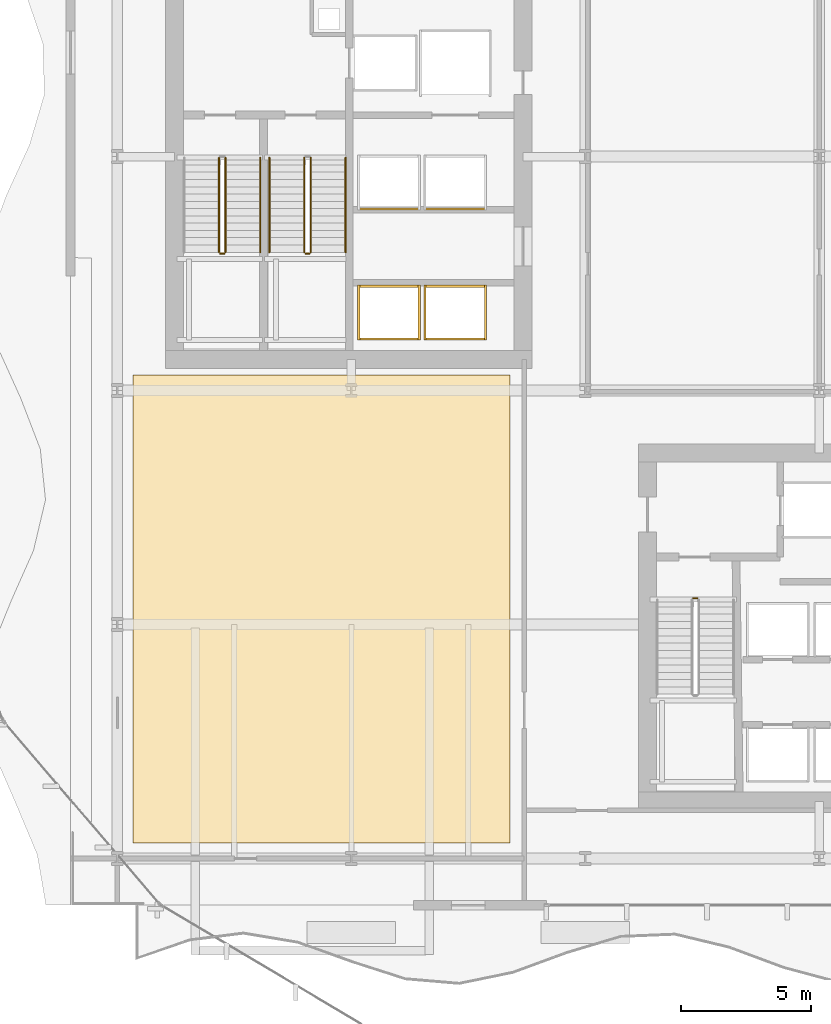
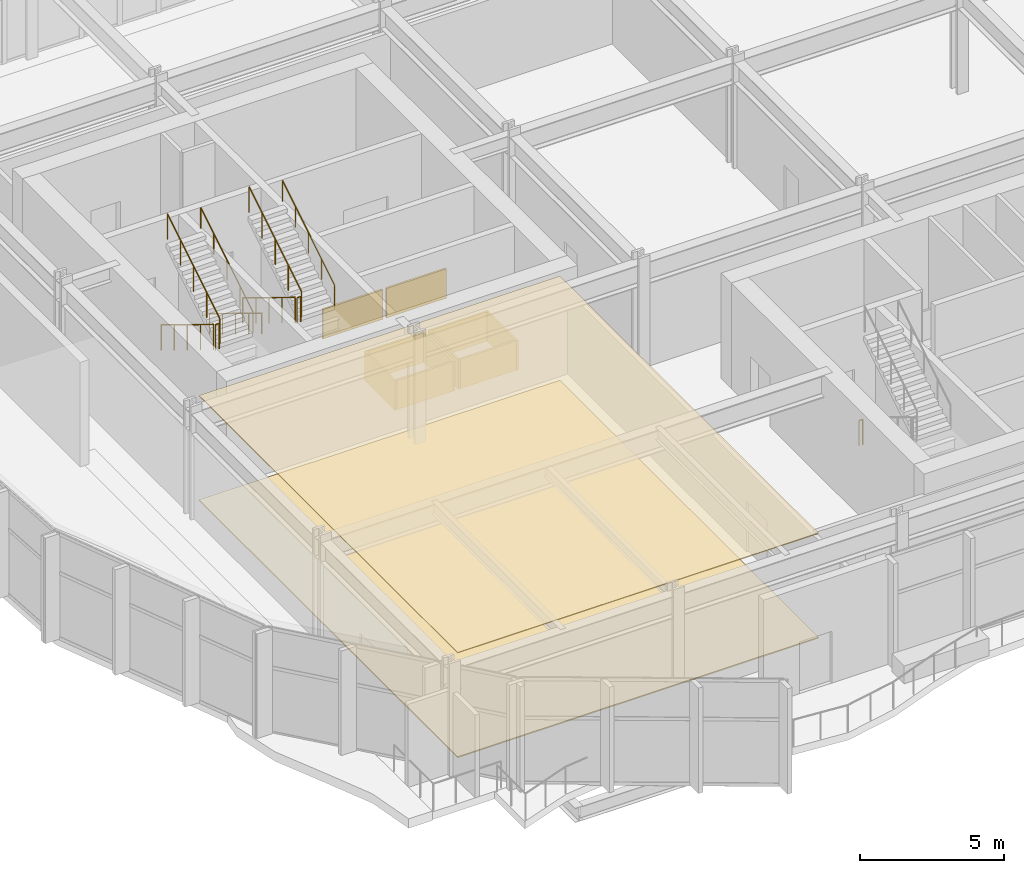
# One storey, part 25 of 29: 12 coverings, 10 railings.
"""IFC4 building model written with IfcOpenShell, lengths in metres."""

from ifc_helpers import new_model, si_unit, direction, frame, origin, origin_2d, place, context, subcontext, project, spatial, polyline, rectangle, circle, outline, extrude, material, layer, layer_set, type_object, element, save


model = new_model("IFC4")

# Units and contexts
model_context = context("Model", 3, precision=1e-05, world=origin(), true_north=direction((0.0, 1.0)))
body_context = subcontext(model_context, "Body", "Model", "MODEL_VIEW")
ifc_project = project(units=[si_unit("LENGTHUNIT", "METRE"), si_unit("AREAUNIT", "SQUARE_METRE"), si_unit("VOLUMEUNIT", "CUBIC_METRE"), si_unit("PLANEANGLEUNIT", "RADIAN"), si_unit("MASSUNIT", "GRAM", prefix="KILO")], contexts=[model_context])

# Site, building, storey
site_placement = place(None, origin())
site = spatial("IfcSite", under=ifc_project, at=site_placement, CompositionType="ELEMENT")
building_placement = place(site_placement, origin())
building = spatial("IfcBuilding", under=site, at=building_placement, Name="Solvaryn Broadcast Tower", CompositionType="ELEMENT")
storey_placement = place(building_placement, frame((0.0, 0.0, 21.199951171875)))
storey = spatial("IfcBuildingStorey", under=building, at=storey_placement, Name="L04", CompositionType="ELEMENT", Elevation=21.199951171875)

# Coverings
ifc_material_1 = material(Name="Studio Acoustic Mineral-Wool Baffle Ceiling", Category="concrete")
ifc_layer_1 = layer(ifc_material_1, 0.06005859375)
ifc_layer_set_1 = layer_set([ifc_layer_1], Name="CV-CEIL-BAFFLE")
covering_type_1 = type_object("IfcCoveringType", Name="CV-CEIL-BAFFLE", PredefinedType="CEILING", material=ifc_layer_set_1)
covering_1_placement = place(storey_placement, frame((0.0, 0.0, 4.43994140625)))
element("IfcCovering", 1, at=covering_1_placement, inside=storey, type_object=covering_type_1, Name="L04 Room Acoustic Ceiling 1", PredefinedType="CEILING", context=body_context, shape_type="SweptSolid", body=[
    extrude(outline(polyline([(9.60009765625, 9.60009765625), (24.10009765625, 9.60009765625), (24.10009765625, 27.60009765625), (9.60009765625, 27.60009765625), (9.60009765625, 9.60009765625)])), origin(), (0.0, 0.0, 1.0), 0.0400390625),
])
ifc_material_2 = material(Name="Isolated Broadcast Studio Floating Acoustic Floor", Category="concrete")
ifc_layer_2 = layer(ifc_material_2, 0.080078125)
ifc_layer_set_2 = layer_set([ifc_layer_2], Name="CV-FLOOR-STUDIO")
covering_type_2 = type_object("IfcCoveringType", Name="CV-FLOOR-STUDIO", PredefinedType="FLOORING", material=ifc_layer_set_2)
covering_2_placement = place(storey_placement, origin())
element("IfcCovering", 2, at=covering_2_placement, inside=storey, type_object=covering_type_2, Name="L04 Room Acoustic Floor Finish 1", PredefinedType="FLOORING", context=body_context, shape_type="SweptSolid", body=[
    extrude(outline(polyline([(9.60009765625, 9.60009765625), (24.10009765625, 9.60009765625), (24.10009765625, 27.60009765625), (9.60009765625, 27.60009765625), (9.60009765625, 9.60009765625)])), origin(), (0.0, 0.0, 1.0), 0.050048828125),
])
ifc_material_3 = material(Name="Fire-Rated Gypsum Shaftwall Liner", Category="concrete")
ifc_layer_3 = layer(ifc_material_3, 0.080078125)
ifc_layer_set_3 = layer_set([ifc_layer_3], Name="CV-SHAFT-LINER")
covering_type_3 = type_object("IfcCoveringType", Name="CV-SHAFT-LINER", PredefinedType="CLADDING", material=ifc_layer_set_3)
for number, where, z_axis, x_axis, name in (
    (3, (19.449951171875, 31.014892578125, 0.0), (0.0, 0.0, 1.0), (1.0, 0.0, 0.0), "L04 PH1 Hoistway Shaft Liner North"),
    (4, (19.449951171875, 28.985107421875, 0.0), (0.0, 0.0, 1.0), (1.0, 0.0, 0.0), "L04 PH1 Hoistway Shaft Liner South"),
):
    element("IfcCovering", number, at=place(storey_placement, frame(where, z_axis=z_axis, x_axis=x_axis)), inside=storey, type_object=covering_type_3, Name=name, PredefinedType="CLADDING", context=body_context, shape_type="SweptSolid", body=[
        extrude(rectangle(XDim=2.409912109375, YDim=0.080078125, at=origin_2d()), origin(), (0.0, 0.0, 1.0), 1.25),
    ])
for number, where, z_axis, x_axis, name in (
    (5, (20.614990234375, 30.0, 0.0), (0.0, 0.0, 1.0), (1.0, 0.0, 0.0), "L04 PH1 Hoistway Shaft Liner East"),
    (6, (18.284912109375, 30.0, 0.0), (0.0, 0.0, 1.0), (1.0, 0.0, 0.0), "L04 PH1 Hoistway Shaft Liner West"),
):
    element("IfcCovering", number, at=place(storey_placement, frame(where, z_axis=z_axis, x_axis=x_axis)), inside=storey, type_object=covering_type_3, Name=name, PredefinedType="CLADDING", context=body_context, shape_type="SweptSolid", body=[
        extrude(rectangle(XDim=0.080078125, YDim=2.110107421875, at=origin_2d()), origin(), (0.0, 0.0, 1.0), 1.25),
    ])
for number, where, z_axis, x_axis, name in (
    (7, (22.0, 31.014892578125, 0.0), (0.0, 0.0, 1.0), (1.0, 0.0, 0.0), "L04 PH2 Hoistway Shaft Liner North"),
    (8, (22.0, 28.985107421875, 0.0), (0.0, 0.0, 1.0), (1.0, 0.0, 0.0), "L04 PH2 Hoistway Shaft Liner South"),
):
    element("IfcCovering", number, at=place(storey_placement, frame(where, z_axis=z_axis, x_axis=x_axis)), inside=storey, type_object=covering_type_3, Name=name, PredefinedType="CLADDING", context=body_context, shape_type="SweptSolid", body=[
        extrude(rectangle(XDim=2.409912109375, YDim=0.080078125, at=origin_2d()), origin(), (0.0, 0.0, 1.0), 1.25),
    ])
for number, where, z_axis, x_axis, name in (
    (9, (23.1650390625, 30.0, 0.0), (0.0, 0.0, 1.0), (1.0, 0.0, 0.0), "L04 PH2 Hoistway Shaft Liner East"),
    (10, (20.8349609375, 30.0, 0.0), (0.0, 0.0, 1.0), (1.0, 0.0, 0.0), "L04 PH2 Hoistway Shaft Liner West"),
):
    element("IfcCovering", number, at=place(storey_placement, frame(where, z_axis=z_axis, x_axis=x_axis)), inside=storey, type_object=covering_type_3, Name=name, PredefinedType="CLADDING", context=body_context, shape_type="SweptSolid", body=[
        extrude(rectangle(XDim=0.080078125, YDim=2.110107421875, at=origin_2d()), origin(), (0.0, 0.0, 1.0), 1.25),
    ])
for number, where, z_axis, x_axis, name in (
    (11, (19.449951171875, 33.985107421875, 0.0), (0.0, 0.0, 1.0), (1.0, 0.0, 0.0), "L04 PH3 Hoistway Shaft Liner South"),
    (12, (22.0, 33.985107421875, 0.0), (0.0, 0.0, 1.0), (1.0, 0.0, 0.0), "L04 PH4 Hoistway Shaft Liner South"),
):
    element("IfcCovering", number, at=place(storey_placement, frame(where, z_axis=z_axis, x_axis=x_axis)), inside=storey, type_object=covering_type_3, Name=name, PredefinedType="CLADDING", context=body_context, shape_type="SweptSolid", body=[
        extrude(rectangle(XDim=2.409912109375, YDim=0.080078125, at=origin_2d()), origin(), (0.0, 0.0, 1.0), 1.25),
    ])

# Railings
ifc_material_4 = material(Name="Painted Steel Stair Well Guard", Category="steel")
railing_type_1 = type_object("IfcRailingType", Name="RL-STAIR-GUARD", PredefinedType="BALUSTRADE", material=ifc_material_4)
railing_1_placement = place(storey_placement, frame((12.909912109375, 35.9599609375, 0.17138671875)))
element("IfcRailing", 13, at=railing_1_placement, inside=storey, type_object=railing_type_1, Name="L04 ST1 stair guard 1", PredefinedType="BALUSTRADE", context=body_context, shape_type="SweptSolid", body=[
    extrude(circle(Radius=0.02392578125, at=origin_2d()), frame((0.0, 0.0, 1.076171875), z_axis=(0.0, -0.852824790078, 0.522197163366), x_axis=(1.0, 0.0, 0.0)), (0.0, 0.0, 1.0), 4.26806640625),
    extrude(circle(Radius=0.02099609375, at=origin_2d()), origin(), (0.0, 0.0, 1.0), 1.052001953125),
    extrude(circle(Radius=0.02099609375, at=origin_2d()), frame((0.0, -0.909912109375, 0.55712890625)), (0.0, 0.0, 1.0), 1.052001953125),
    extrude(circle(Radius=0.02099609375, at=origin_2d()), frame((0.0, -1.81982421875, 1.1142578125)), (0.0, 0.0, 1.0), 1.052001953125),
    extrude(circle(Radius=0.02099609375, at=origin_2d()), frame((0.0, -2.72998046875, 1.671630859375)), (0.0, 0.0, 1.0), 1.052001953125),
    extrude(circle(Radius=0.02099609375, at=origin_2d()), frame((0.0, -3.639892578125, 2.228759765625)), (0.0, 0.0, 1.0), 1.052001953125),
])
railing_2_placement = place(storey_placement, frame((12.9599609375, 32.27001953125, 2.400146484375)))
element("IfcRailing", 14, at=railing_2_placement, inside=storey, type_object=railing_type_1, Name="L04 ST1 stair guard 2", PredefinedType="BALUSTRADE", context=body_context, shape_type="SweptSolid", body=[
    extrude(circle(Radius=0.02392578125, at=origin_2d()), frame((0.0, 0.0, 1.076171875), z_axis=(1.0, 0.0, 0.0), x_axis=(0.0, 1.0, 0.0)), (0.0, 0.0, 1.0), 0.150146484375),
    extrude(circle(Radius=0.02099609375, at=origin_2d()), origin(), (0.0, 0.0, 1.0), 1.052001953125),
    extrude(circle(Radius=0.02099609375, at=origin_2d()), frame((0.150146484375, 0.0, 0.0)), (0.0, 0.0, 1.0), 1.052001953125),
])
railing_3_placement = place(storey_placement, frame((13.159912109375, 32.320068359375, 2.571533203125)))
element("IfcRailing", 15, at=railing_3_placement, inside=storey, type_object=railing_type_1, Name="L04 ST1 stair guard 3", PredefinedType="BALUSTRADE", context=body_context, shape_type="SweptSolid", body=[
    extrude(circle(Radius=0.02392578125, at=origin_2d()), frame((0.0, 0.0, 1.076171875), z_axis=(0.0, 0.852850264322, 0.5221555579), x_axis=(-1.0, 0.0, 0.0)), (0.0, 0.0, 1.0), 4.267822265625),
    extrude(circle(Radius=0.02099609375, at=origin_2d()), origin(), (0.0, 0.0, 1.0), 1.052001953125),
    extrude(circle(Radius=0.02099609375, at=origin_2d()), frame((0.0, 0.909912109375, 0.55712890625)), (0.0, 0.0, 1.0), 1.052001953125),
    extrude(circle(Radius=0.02099609375, at=origin_2d()), frame((0.0, 1.81982421875, 1.1142578125)), (0.0, 0.0, 1.0), 1.052001953125),
    extrude(circle(Radius=0.02099609375, at=origin_2d()), frame((0.0, 2.72998046875, 1.67138671875)), (0.0, 0.0, 1.0), 1.052001953125),
    extrude(circle(Radius=0.02099609375, at=origin_2d()), frame((0.0, 3.639892578125, 2.228515625)), (0.0, 0.0, 1.0), 1.052001953125),
])
railing_4_placement = place(storey_placement, frame((16.18994140625, 35.9599609375, 0.17138671875)))
element("IfcRailing", 16, at=railing_4_placement, inside=storey, type_object=railing_type_1, Name="L04 ST2 stair guard 1", PredefinedType="BALUSTRADE", context=body_context, shape_type="SweptSolid", body=[
    extrude(circle(Radius=0.02392578125, at=origin_2d()), frame((0.0, 0.0, 1.076171875), z_axis=(0.0, -0.852824790078, 0.522197163366), x_axis=(1.0, 0.0, 0.0)), (0.0, 0.0, 1.0), 4.26806640625),
    extrude(circle(Radius=0.02099609375, at=origin_2d()), origin(), (0.0, 0.0, 1.0), 1.052001953125),
    extrude(circle(Radius=0.02099609375, at=origin_2d()), frame((0.0, -0.909912109375, 0.55712890625)), (0.0, 0.0, 1.0), 1.052001953125),
    extrude(circle(Radius=0.02099609375, at=origin_2d()), frame((0.0, -1.81982421875, 1.1142578125)), (0.0, 0.0, 1.0), 1.052001953125),
    extrude(circle(Radius=0.02099609375, at=origin_2d()), frame((0.0, -2.72998046875, 1.671630859375)), (0.0, 0.0, 1.0), 1.052001953125),
    extrude(circle(Radius=0.02099609375, at=origin_2d()), frame((0.0, -3.639892578125, 2.228759765625)), (0.0, 0.0, 1.0), 1.052001953125),
])
railing_5_placement = place(storey_placement, frame((16.239990234375, 32.27001953125, 2.400146484375)))
element("IfcRailing", 17, at=railing_5_placement, inside=storey, type_object=railing_type_1, Name="L04 ST2 stair guard 2", PredefinedType="BALUSTRADE", context=body_context, shape_type="SweptSolid", body=[
    extrude(circle(Radius=0.02392578125, at=origin_2d()), frame((0.0, 0.0, 1.076171875), z_axis=(1.0, 0.0, 0.0), x_axis=(0.0, 1.0, 0.0)), (0.0, 0.0, 1.0), 0.14990234375),
    extrude(circle(Radius=0.02099609375, at=origin_2d()), origin(), (0.0, 0.0, 1.0), 1.052001953125),
    extrude(circle(Radius=0.02099609375, at=origin_2d()), frame((0.14990234375, 0.0, 0.0)), (0.0, 0.0, 1.0), 1.052001953125),
])
railing_6_placement = place(storey_placement, frame((16.43994140625, 32.320068359375, 2.571533203125)))
element("IfcRailing", 18, at=railing_6_placement, inside=storey, type_object=railing_type_1, Name="L04 ST2 stair guard 3", PredefinedType="BALUSTRADE", context=body_context, shape_type="SweptSolid", body=[
    extrude(circle(Radius=0.02392578125, at=origin_2d()), frame((0.0, 0.0, 1.076171875), z_axis=(0.0, 0.852850264322, 0.5221555579), x_axis=(-1.0, 0.0, 0.0)), (0.0, 0.0, 1.0), 4.267822265625),
    extrude(circle(Radius=0.02099609375, at=origin_2d()), origin(), (0.0, 0.0, 1.0), 1.052001953125),
    extrude(circle(Radius=0.02099609375, at=origin_2d()), frame((0.0, 0.909912109375, 0.55712890625)), (0.0, 0.0, 1.0), 1.052001953125),
    extrude(circle(Radius=0.02099609375, at=origin_2d()), frame((0.0, 1.81982421875, 1.1142578125)), (0.0, 0.0, 1.0), 1.052001953125),
    extrude(circle(Radius=0.02099609375, at=origin_2d()), frame((0.0, 2.72998046875, 1.67138671875)), (0.0, 0.0, 1.0), 1.052001953125),
    extrude(circle(Radius=0.02099609375, at=origin_2d()), frame((0.0, 3.639892578125, 2.228515625)), (0.0, 0.0, 1.0), 1.052001953125),
])
railing_7_placement = place(storey_placement, frame((31.159912109375, 19.010009765625, 0.0)))
element("IfcRailing", 19, at=railing_7_placement, inside=storey, type_object=railing_type_1, Name="L04 ST3 stair guard 4", PredefinedType="BALUSTRADE", context=body_context, shape_type="SweptSolid", body=[
    extrude(circle(Radius=0.02392578125, at=origin_2d()), frame((0.0, 0.0, 1.076171875), z_axis=(1.0, 0.0, 0.0), x_axis=(0.0, 1.0, 0.0)), (0.0, 0.0, 1.0), 0.150146484375),
    extrude(circle(Radius=0.02099609375, at=origin_2d()), origin(), (0.0, 0.0, 1.0), 1.052001953125),
    extrude(circle(Radius=0.02099609375, at=origin_2d()), frame((0.150146484375, 0.0, 0.0)), (0.0, 0.0, 1.0), 1.052001953125),
])
ifc_material_5 = material(Name="Brushed Stainless Steel Tubular Handrail", Category="steel")
railing_type_2 = type_object("IfcRailingType", Name="RL-STAIR-HANDRAIL", PredefinedType="HANDRAIL", material=ifc_material_5)
railing_8_placement = place(storey_placement, frame((14.5, 32.320068359375, 2.571533203125)))
element("IfcRailing", 20, at=railing_8_placement, inside=storey, type_object=railing_type_2, Name="L04 ST1 stair handrail 2", PredefinedType="HANDRAIL", context=body_context, shape_type="SweptSolid", body=[
    extrude(circle(Radius=0.02392578125, at=origin_2d()), frame((0.0, 0.0, 0.8759765625), z_axis=(0.0, 0.852850264322, 0.5221555579), x_axis=(-1.0, 0.0, 0.0)), (0.0, 0.0, 1.0), 4.267822265625),
    extrude(circle(Radius=0.02099609375, at=origin_2d()), origin(), (0.0, 0.0, 1.0), 0.851806640625),
    extrude(circle(Radius=0.02099609375, at=origin_2d()), frame((0.0, 0.909912109375, 0.55712890625)), (0.0, 0.0, 1.0), 0.851806640625),
    extrude(circle(Radius=0.02099609375, at=origin_2d()), frame((0.0, 1.81982421875, 1.1142578125)), (0.0, 0.0, 1.0), 0.851806640625),
    extrude(circle(Radius=0.02099609375, at=origin_2d()), frame((0.0, 2.72998046875, 1.67138671875)), (0.0, 0.0, 1.0), 0.851806640625),
    extrude(circle(Radius=0.02099609375, at=origin_2d()), frame((0.0, 3.639892578125, 2.228515625)), (0.0, 0.0, 1.0), 0.851806640625),
])
railing_9_placement = place(storey_placement, frame((14.85009765625, 35.9599609375, 0.17138671875)))
element("IfcRailing", 21, at=railing_9_placement, inside=storey, type_object=railing_type_2, Name="L04 ST2 stair handrail 1", PredefinedType="HANDRAIL", context=body_context, shape_type="SweptSolid", body=[
    extrude(circle(Radius=0.02392578125, at=origin_2d()), frame((0.0, 0.0, 0.8759765625), z_axis=(0.0, -0.852824790078, 0.522197163366), x_axis=(1.0, 0.0, 0.0)), (0.0, 0.0, 1.0), 4.26806640625),
    extrude(circle(Radius=0.02099609375, at=origin_2d()), origin(), (0.0, 0.0, 1.0), 0.851806640625),
    extrude(circle(Radius=0.02099609375, at=origin_2d()), frame((0.0, -0.909912109375, 0.55712890625)), (0.0, 0.0, 1.0), 0.851806640625),
    extrude(circle(Radius=0.02099609375, at=origin_2d()), frame((0.0, -1.81982421875, 1.1142578125)), (0.0, 0.0, 1.0), 0.851806640625),
    extrude(circle(Radius=0.02099609375, at=origin_2d()), frame((0.0, -2.72998046875, 1.671630859375)), (0.0, 0.0, 1.0), 0.851806640625),
    extrude(circle(Radius=0.02099609375, at=origin_2d()), frame((0.0, -3.639892578125, 2.228759765625)), (0.0, 0.0, 1.0), 0.851806640625),
])
railing_10_placement = place(storey_placement, frame((17.780029296875, 32.320068359375, 2.571533203125)))
element("IfcRailing", 22, at=railing_10_placement, inside=storey, type_object=railing_type_2, Name="L04 ST2 stair handrail 2", PredefinedType="HANDRAIL", context=body_context, shape_type="SweptSolid", body=[
    extrude(circle(Radius=0.02392578125, at=origin_2d()), frame((0.0, 0.0, 0.8759765625), z_axis=(0.0, 0.852850264322, 0.5221555579), x_axis=(-1.0, 0.0, 0.0)), (0.0, 0.0, 1.0), 4.267822265625),
    extrude(circle(Radius=0.02099609375, at=origin_2d()), origin(), (0.0, 0.0, 1.0), 0.851806640625),
    extrude(circle(Radius=0.02099609375, at=origin_2d()), frame((0.0, 0.909912109375, 0.55712890625)), (0.0, 0.0, 1.0), 0.851806640625),
    extrude(circle(Radius=0.02099609375, at=origin_2d()), frame((0.0, 1.81982421875, 1.1142578125)), (0.0, 0.0, 1.0), 0.851806640625),
    extrude(circle(Radius=0.02099609375, at=origin_2d()), frame((0.0, 2.72998046875, 1.67138671875)), (0.0, 0.0, 1.0), 0.851806640625),
    extrude(circle(Radius=0.02099609375, at=origin_2d()), frame((0.0, 3.639892578125, 2.228515625)), (0.0, 0.0, 1.0), 0.851806640625),
])

save(model, "model.ifc")
